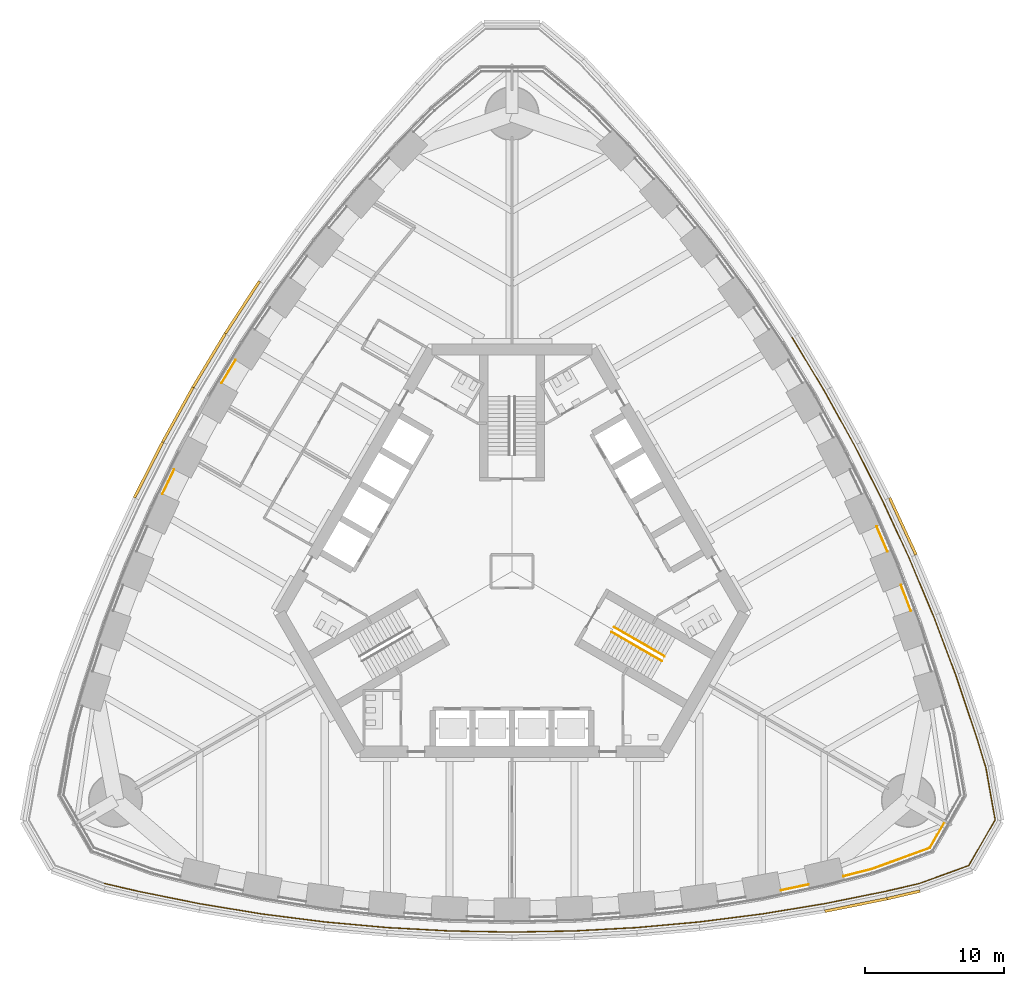
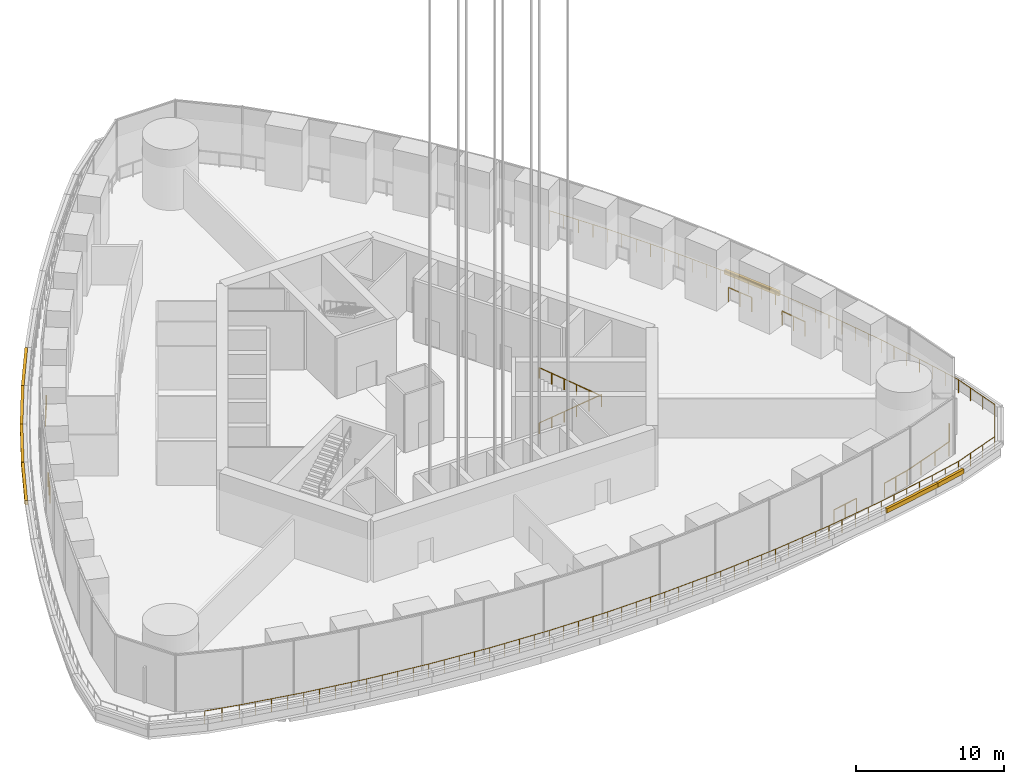
# One storey, part 18 of 31: 9 railings, 7 coverings.
"""IFC4 building model written with IfcOpenShell, lengths in metres."""

from ifc_helpers import new_model, si_unit, direction, frame, origin, origin_2d, place, context, subcontext, project, spatial, rectangle, circle, extrude, material, type_object, element, save


model = new_model("IFC4")

# Units and contexts
model_context = context("Model", 3, precision=1e-05, world=origin(), true_north=direction((0.0, 1.0)))
body_context = subcontext(model_context, "Body", "Model", "MODEL_VIEW")
ifc_project = project(units=[si_unit("LENGTHUNIT", "METRE"), si_unit("AREAUNIT", "SQUARE_METRE"), si_unit("VOLUMEUNIT", "CUBIC_METRE"), si_unit("PLANEANGLEUNIT", "RADIAN"), si_unit("MASSUNIT", "GRAM", prefix="KILO")], contexts=[model_context])

# Site, building, storey
site_placement = place(None, origin())
site = spatial("IfcSite", under=ifc_project, at=site_placement, CompositionType="ELEMENT")
building_placement = place(site_placement, origin())
building = spatial("IfcBuilding", under=site, at=building_placement, Name="Trefoil Bronze Tower", CompositionType="ELEMENT")
storey_placement = place(building_placement, frame((0.0, 0.0, 184.699951171875)))
storey = spatial("IfcBuildingStorey", under=building, at=storey_placement, Name="L42", CompositionType="ELEMENT", Elevation=184.699951171875)

# Railings
ifc_material_1 = material(Name="Bronze-finish steel guard rail and posts", Category="steel")
railing_type_1 = type_object("IfcRailingType", Name="Glazing guard 1200", PredefinedType="GUARDRAIL", material=ifc_material_1)
railing_1_placement = place(storey_placement, frame((19.3828125, -22.99072265625, 0.0)))
element("IfcRailing", 1, at=railing_1_placement, inside=storey, type_object=railing_type_1, Name="Glazing guard L42.14", PredefinedType="GUARDRAIL", context=body_context, shape_type="SweptSolid", body=[
    extrude(circle(Radius=0.02392578125, at=origin_2d()), frame((0.0, 0.0, 1.17578125), z_axis=(0.978382051668, 0.206805611562, 0.0), x_axis=(-0.206805611562, 0.978382051668, 0.0)), (0.0, 0.0, 1.0), 2.02685546875),
    extrude(circle(Radius=0.02099609375, at=origin_2d()), origin(), (0.0, 0.0, 1.0), 1.15185546875),
    extrude(circle(Radius=0.02099609375, at=origin_2d()), frame((0.99169921875, 0.20947265625, 0.0)), (0.0, 0.0, 1.0), 1.15185546875),
    extrude(circle(Radius=0.02099609375, at=origin_2d()), frame((1.983154296875, 0.419189453125, 0.0)), (0.0, 0.0, 1.0), 1.15185546875),
])
railing_2_placement = place(storey_placement, frame((23.896728515625, -21.9755859375, 0.0)))
element("IfcRailing", 2, at=railing_2_placement, inside=storey, type_object=railing_type_1, Name="Glazing guard L42.15", PredefinedType="GUARDRAIL", context=body_context, shape_type="SweptSolid", body=[
    extrude(circle(Radius=0.02392578125, at=origin_2d()), frame((0.0, 0.0, 1.17578125), z_axis=(0.968925924242, 0.247351073037, 0.0), x_axis=(-0.247351073037, 0.968925924242, 0.0)), (0.0, 0.0, 1.0), 2.1220703125),
    extrude(circle(Radius=0.02392578125, at=origin_2d()), frame((2.05615234375, 0.52490234375, 1.17578125), z_axis=(0.93969186174, 0.34202222878, 0.0), x_axis=(-0.34202222878, 0.93969186174, 0.0)), (0.0, 0.0, 1.0), 4.423583984375),
    extrude(circle(Radius=0.02392578125, at=origin_2d()), frame((6.212890625, 2.037841796875, 1.17578125), z_axis=(0.499973003918, 0.866040989419, 0.0), x_axis=(-0.866040989419, 0.499973003918, 0.0)), (0.0, 0.0, 1.0), 2.13671875),
    extrude(circle(Radius=0.02099609375, at=origin_2d()), origin(), (0.0, 0.0, 1.0), 1.15185546875),
    extrude(circle(Radius=0.02099609375, at=origin_2d()), frame((1.028076171875, 0.262451171875, 0.0)), (0.0, 0.0, 1.0), 1.15185546875),
    extrude(circle(Radius=0.02099609375, at=origin_2d()), frame((2.05615234375, 0.52490234375, 0.0)), (0.0, 0.0, 1.0), 1.15185546875),
    extrude(circle(Radius=0.02099609375, at=origin_2d()), frame((3.441650390625, 1.029296875, 0.0)), (0.0, 0.0, 1.0), 1.15185546875),
    extrude(circle(Radius=0.02099609375, at=origin_2d()), frame((4.827392578125, 1.533447265625, 0.0)), (0.0, 0.0, 1.0), 1.15185546875),
    extrude(circle(Radius=0.02099609375, at=origin_2d()), frame((6.212890625, 2.037841796875, 0.0)), (0.0, 0.0, 1.0), 1.15185546875),
    extrude(circle(Radius=0.02099609375, at=origin_2d()), frame((6.7470703125, 2.963134765625, 0.0)), (0.0, 0.0, 1.0), 1.15185546875),
    extrude(circle(Radius=0.02099609375, at=origin_2d()), frame((7.28125, 3.888427734375, 0.0)), (0.0, 0.0, 1.0), 1.15185546875),
])
railing_3_placement = place(storey_placement, frame((28.742919921875, -2.83642578125, 0.0)))
element("IfcRailing", 3, at=railing_3_placement, inside=storey, type_object=railing_type_1, Name="Glazing guard L42.18", PredefinedType="GUARDRAIL", context=body_context, shape_type="SweptSolid", body=[
    extrude(circle(Radius=0.02392578125, at=origin_2d()), frame((0.0, 0.0, 1.17578125), z_axis=(-0.354257987109, 0.93514773088, 0.0), x_axis=(-0.93514773088, -0.354257987109, 0.0)), (0.0, 0.0, 1.0), 1.987548828125),
    extrude(circle(Radius=0.02099609375, at=origin_2d()), origin(), (0.0, 0.0, 1.0), 1.15185546875),
    extrude(circle(Radius=0.02099609375, at=origin_2d()), frame((-0.35205078125, 0.92919921875, 0.0)), (0.0, 0.0, 1.0), 1.15185546875),
    extrude(circle(Radius=0.02099609375, at=origin_2d()), frame((-0.7041015625, 1.858642578125, 0.0)), (0.0, 0.0, 1.0), 1.15185546875),
])
railing_4_placement = place(storey_placement, frame((27.065185546875, 1.43310546875, 0.0)))
element("IfcRailing", 4, at=railing_4_placement, inside=storey, type_object=railing_type_1, Name="Glazing guard L42.19", PredefinedType="GUARDRAIL", context=body_context, shape_type="SweptSolid", body=[
    extrude(circle(Radius=0.02392578125, at=origin_2d()), frame((0.0, 0.0, 1.17578125), z_axis=(-0.397197923464, 0.917732972926, 0.0), x_axis=(-0.917732972926, -0.397197923464, 0.0)), (0.0, 0.0, 1.0), 1.957763671875),
    extrude(circle(Radius=0.02099609375, at=origin_2d()), origin(), (0.0, 0.0, 1.0), 1.15185546875),
    extrude(circle(Radius=0.02099609375, at=origin_2d()), frame((-0.388671875, 0.8984375, 0.0)), (0.0, 0.0, 1.0), 1.15185546875),
    extrude(circle(Radius=0.02099609375, at=origin_2d()), frame((-0.777587890625, 1.796630859375, 0.0)), (0.0, 0.0, 1.0), 1.15185546875),
])
railing_5_placement = place(storey_placement, frame((-19.929931640625, 15.2333984375, 0.0)))
element("IfcRailing", 5, at=railing_5_placement, inside=storey, type_object=railing_type_1, Name="Glazing guard L42.33", PredefinedType="GUARDRAIL", context=body_context, shape_type="SweptSolid", body=[
    extrude(circle(Radius=0.02392578125, at=origin_2d()), frame((0.0, 0.0, 1.17578125), z_axis=(-0.519774209417, -0.854303676233, 0.0), x_axis=(0.854303676233, -0.519774209417, 0.0)), (0.0, 0.0, 1.0), 1.92822265625),
    extrude(circle(Radius=0.02099609375, at=origin_2d()), origin(), (0.0, 0.0, 1.0), 1.15185546875),
    extrude(circle(Radius=0.02099609375, at=origin_2d()), frame((-0.5009765625, -0.82373046875, 0.0)), (0.0, 0.0, 1.0), 1.15185546875),
    extrude(circle(Radius=0.02099609375, at=origin_2d()), frame((-1.002197265625, -1.647216796875, 0.0)), (0.0, 0.0, 1.0), 1.15185546875),
])
railing_6_placement = place(storey_placement, frame((-24.3515625, 7.33349609375, 0.0)))
element("IfcRailing", 6, at=railing_6_placement, inside=storey, type_object=railing_type_1, Name="Glazing guard L42.34", PredefinedType="GUARDRAIL", context=body_context, shape_type="SweptSolid", body=[
    extrude(circle(Radius=0.02392578125, at=origin_2d()), frame((0.0, 0.0, 1.17578125), z_axis=(-0.439031625906, -0.898471608597, 0.0), x_axis=(0.898471608597, -0.439031625906, 0.0)), (0.0, 0.0, 1.0), 1.93798828125),
    extrude(circle(Radius=0.02099609375, at=origin_2d()), origin(), (0.0, 0.0, 1.0), 1.15185546875),
    extrude(circle(Radius=0.02099609375, at=origin_2d()), frame((-0.42529296875, -0.87060546875, 0.0)), (0.0, 0.0, 1.0), 1.15185546875),
    extrude(circle(Radius=0.02099609375, at=origin_2d()), frame((-0.850830078125, -1.7412109375, 0.0)), (0.0, 0.0, 1.0), 1.15185546875),
])
ifc_material_2 = material(Name="Steel handrail", Category="steel")
railing_type_2 = type_object("IfcRailingType", Name="Handrail 900", PredefinedType="HANDRAIL", material=ifc_material_2)
railing_7_placement = place(storey_placement, frame((7.365966796875, -4.021728515625, 0.166748046875)))
element("IfcRailing", 7, at=railing_7_placement, inside=storey, type_object=railing_type_2, Name="Handrail ST1 flight 1 L42", PredefinedType="HANDRAIL", context=body_context, shape_type="SweptSolid", body=[
    extrude(circle(Radius=0.02392578125, at=origin_2d()), frame((0.0, 0.0, 0.8759765625), z_axis=(0.757033054248, -0.437105539847, 0.485633299735), x_axis=(0.500027713859, 0.866009402589, 0.0)), (0.0, 0.0, 1.0), 4.804443359375),
    extrude(circle(Radius=0.02099609375, at=origin_2d()), origin(), (0.0, 0.0, 1.0), 0.851806640625),
    extrude(circle(Radius=0.02099609375, at=origin_2d()), frame((0.7275390625, -0.419921875, 0.466552734375)), (0.0, 0.0, 1.0), 0.851806640625),
    extrude(circle(Radius=0.02099609375, at=origin_2d()), frame((1.454833984375, -0.840087890625, 0.933349609375)), (0.0, 0.0, 1.0), 0.851806640625),
    extrude(circle(Radius=0.02099609375, at=origin_2d()), frame((2.182373046875, -1.260009765625, 1.39990234375)), (0.0, 0.0, 1.0), 0.851806640625),
    extrude(circle(Radius=0.02099609375, at=origin_2d()), frame((2.90966796875, -1.68017578125, 1.86669921875)), (0.0, 0.0, 1.0), 0.851806640625),
    extrude(circle(Radius=0.02099609375, at=origin_2d()), frame((3.63720703125, -2.10009765625, 2.333251953125)), (0.0, 0.0, 1.0), 0.851806640625),
])
railing_8_placement = place(storey_placement, frame((10.80322265625, -6.46826171875, 2.666748046875)))
element("IfcRailing", 8, at=railing_8_placement, inside=storey, type_object=railing_type_2, Name="Handrail ST1 flight 2 L42", PredefinedType="HANDRAIL", context=body_context, shape_type="SweptSolid", body=[
    extrude(circle(Radius=0.02392578125, at=origin_2d()), frame((0.0, 0.0, 0.8759765625), z_axis=(-0.757033054248, 0.437105539847, 0.485633299735), x_axis=(-0.500027713859, -0.866009402589, 0.0)), (0.0, 0.0, 1.0), 4.804443359375),
    extrude(circle(Radius=0.02099609375, at=origin_2d()), origin(), (0.0, 0.0, 1.0), 0.851806640625),
    extrude(circle(Radius=0.02099609375, at=origin_2d()), frame((-0.7275390625, 0.419921875, 0.466552734375)), (0.0, 0.0, 1.0), 0.851806640625),
    extrude(circle(Radius=0.02099609375, at=origin_2d()), frame((-1.454833984375, 0.840087890625, 0.933349609375)), (0.0, 0.0, 1.0), 0.851806640625),
    extrude(circle(Radius=0.02099609375, at=origin_2d()), frame((-2.182373046875, 1.260009765625, 1.39990234375)), (0.0, 0.0, 1.0), 0.851806640625),
    extrude(circle(Radius=0.02099609375, at=origin_2d()), frame((-2.90966796875, 1.68017578125, 1.86669921875)), (0.0, 0.0, 1.0), 0.851806640625),
    extrude(circle(Radius=0.02099609375, at=origin_2d()), frame((-3.63720703125, 2.10009765625, 2.333251953125)), (0.0, 0.0, 1.0), 0.851806640625),
])
ifc_material_3 = material(Name="Galvanised steel guard rail and posts", Category="steel")
railing_type_3 = type_object("IfcRailingType", Name="Roof edge guard 1100", PredefinedType="GUARDRAIL", material=ifc_material_3)
railing_9_placement = place(storey_placement, frame((-29.357666015625, -22.499755859375, 0.300048828125)))
element("IfcRailing", 9, at=railing_9_placement, inside=storey, type_object=railing_type_3, Name="Roof edge guard L42.1 maintenance access only", PredefinedType="GUARDRAIL", context=body_context, shape_type="SweptSolid", body=[
    extrude(circle(Radius=0.02392578125, at=origin_2d()), frame((0.0, 0.0, 1.076171875), z_axis=(0.974203832844, -0.225669874089, 0.0), x_axis=(0.225669874089, 0.974203832844, 0.0)), (0.0, 0.0, 1.0), 2.420166015625),
    extrude(circle(Radius=0.02392578125, at=origin_2d()), frame((2.357666015625, -0.546142578125, 1.076171875), z_axis=(0.980163286517, -0.198191654126, 0.0), x_axis=(0.198191654126, 0.980163286517, 0.0)), (0.0, 0.0, 1.0), 4.591064453125),
    extrude(circle(Radius=0.02392578125, at=origin_2d()), frame((6.857666015625, -1.4560546875, 1.076171875), z_axis=(0.986756114194, -0.162210884657, 0.0), x_axis=(0.162210884657, 0.986756114194, 0.0)), (0.0, 0.0, 1.0), 4.560302734375),
    extrude(circle(Radius=0.02392578125, at=origin_2d()), frame((11.357666015625, -2.19580078125, 1.076171875), z_axis=(0.992010652594, -0.12615413247, 0.0), x_axis=(0.12615413247, 0.992010652594, 0.0)), (0.0, 0.0, 1.0), 4.5361328125),
    extrude(circle(Radius=0.02392578125, at=origin_2d()), frame((15.857666015625, -2.76806640625, 1.076171875), z_axis=(0.995935173755, -0.090072913121, 0.0), x_axis=(0.090072913121, 0.995935173755, 0.0)), (0.0, 0.0, 1.0), 4.518310546875),
    extrude(circle(Radius=0.02392578125, at=origin_2d()), frame((20.357666015625, -3.175048828125, 1.076171875), z_axis=(0.998537376538, -0.054065771581, 0.0), x_axis=(0.054065771581, 0.998537376538, 0.0)), (0.0, 0.0, 1.0), 4.506591796875),
    extrude(circle(Radius=0.02392578125, at=origin_2d()), frame((24.857666015625, -3.418701171875, 1.076171875), z_axis=(0.999836842422, -0.018063458579, 0.0), x_axis=(0.018063458579, 0.999836842422, 0.0)), (0.0, 0.0, 1.0), 4.500732421875),
    extrude(circle(Radius=0.02392578125, at=origin_2d()), frame((29.357666015625, -3.5, 1.076171875), z_axis=(0.999836842422, 0.018063458579, 0.0), x_axis=(-0.018063458579, 0.999836842422, 0.0)), (0.0, 0.0, 1.0), 4.500732421875),
    extrude(circle(Radius=0.02392578125, at=origin_2d()), frame((33.857666015625, -3.418701171875, 1.076171875), z_axis=(0.998537376538, 0.054065771581, 0.0), x_axis=(-0.054065771581, 0.998537376538, 0.0)), (0.0, 0.0, 1.0), 4.506591796875),
    extrude(circle(Radius=0.02392578125, at=origin_2d()), frame((38.357666015625, -3.175048828125, 1.076171875), z_axis=(0.995935173755, 0.090072913121, 0.0), x_axis=(-0.090072913121, 0.995935173755, 0.0)), (0.0, 0.0, 1.0), 4.518310546875),
    extrude(circle(Radius=0.02392578125, at=origin_2d()), frame((42.857666015625, -2.76806640625, 1.076171875), z_axis=(0.992010652594, 0.12615413247, 0.0), x_axis=(-0.12615413247, 0.992010652594, 0.0)), (0.0, 0.0, 1.0), 4.5361328125),
    extrude(circle(Radius=0.02392578125, at=origin_2d()), frame((47.357666015625, -2.19580078125, 1.076171875), z_axis=(0.986756114194, 0.162210884657, 0.0), x_axis=(-0.162210884657, 0.986756114194, 0.0)), (0.0, 0.0, 1.0), 4.560302734375),
    extrude(circle(Radius=0.02392578125, at=origin_2d()), frame((51.857666015625, -1.4560546875, 1.076171875), z_axis=(0.980163286517, 0.198191654126, 0.0), x_axis=(-0.198191654126, 0.980163286517, 0.0)), (0.0, 0.0, 1.0), 4.591064453125),
    extrude(circle(Radius=0.02392578125, at=origin_2d()), frame((56.357666015625, -0.546142578125, 1.076171875), z_axis=(0.974203832844, 0.225669874089, 0.0), x_axis=(-0.225669874089, 0.974203832844, 0.0)), (0.0, 0.0, 1.0), 2.420166015625),
    extrude(circle(Radius=0.02392578125, at=origin_2d()), frame((58.71533203125, 0.0, 1.076171875), z_axis=(0.939678835491, 0.342058015739, 0.0), x_axis=(-0.342058015739, 0.939678835491, 0.0)), (0.0, 0.0, 1.0), 3.79638671875),
    extrude(circle(Radius=0.02392578125, at=origin_2d()), frame((62.28271484375, 1.298583984375, 1.076171875), z_axis=(0.50003973666, 0.866002460597, 0.0), x_axis=(-0.866002460597, 0.50003973666, 0.0)), (0.0, 0.0, 1.0), 3.796630859375),
    extrude(circle(Radius=0.02392578125, at=origin_2d()), frame((64.18115234375, 4.58642578125, 1.076171875), z_axis=(-0.173693619934, 0.984799739233, 0.0), x_axis=(-0.984799739233, -0.173693619934, 0.0)), (0.0, 0.0, 1.0), 3.79638671875),
    extrude(circle(Radius=0.02392578125, at=origin_2d()), frame((63.521728515625, 8.3251953125, 1.076171875), z_axis=(-0.29166741181, 0.956519796391, 0.0), x_axis=(-0.956519796391, -0.29166741181, 0.0)), (0.0, 0.0, 1.0), 2.419921875),
    extrude(circle(Radius=0.02392578125, at=origin_2d()), frame((62.81591796875, 10.639892578125, 1.076171875), z_axis=(-0.318412422979, 0.94795228197, 0.0), x_axis=(-0.94795228197, -0.318412422979, 0.0)), (0.0, 0.0, 1.0), 4.59130859375),
    extrude(circle(Radius=0.02392578125, at=origin_2d()), frame((61.35400390625, 14.9921875, 1.076171875), z_axis=(-0.35291223767, 0.935656428665, 0.0), x_axis=(-0.935656428665, -0.35291223767, 0.0)), (0.0, 0.0, 1.0), 4.560302734375),
    extrude(circle(Radius=0.02392578125, at=origin_2d()), frame((59.74462890625, 19.259033203125, 1.076171875), z_axis=(-0.386742917128, 0.92218757097, 0.0), x_axis=(-0.92218757097, -0.386742917128, 0.0)), (0.0, 0.0, 1.0), 4.536376953125),
    extrude(circle(Radius=0.02392578125, at=origin_2d()), frame((57.990234375, 23.4423828125, 1.076171875), z_axis=(-0.419948870618, 0.907547765171, 0.0), x_axis=(-0.907547765171, -0.419948870618, 0.0)), (0.0, 0.0, 1.0), 4.518310546875),
    extrude(circle(Radius=0.02392578125, at=origin_2d()), frame((56.0927734375, 27.54296875, 1.076171875), z_axis=(-0.452449820092, 0.891789863308, 0.0), x_axis=(-0.891789863308, -0.452449820092, 0.0)), (0.0, 0.0, 1.0), 4.5068359375),
    extrude(circle(Radius=0.02392578125, at=origin_2d()), frame((54.0537109375, 31.56201171875, 1.076171875), z_axis=(-0.484315883017, 0.87489320803, 0.0), x_axis=(-0.87489320803, -0.484315883017, 0.0)), (0.0, 0.0, 1.0), 4.50048828125),
    extrude(circle(Radius=0.02392578125, at=origin_2d()), frame((51.8740234375, 35.49951171875, 1.076171875), z_axis=(-0.515524404457, 0.856874896592, 0.0), x_axis=(-0.856874896592, -0.515524404457, 0.0)), (0.0, 0.0, 1.0), 4.5009765625),
    extrude(circle(Radius=0.02099609375, at=origin_2d()), origin(), (0.0, 0.0, 1.0), 1.052001953125),
    extrude(circle(Radius=0.02099609375, at=origin_2d()), frame((1.1787109375, -0.27294921875, 0.0)), (0.0, 0.0, 1.0), 1.052001953125),
    extrude(circle(Radius=0.02099609375, at=origin_2d()), frame((2.357666015625, -0.546142578125, 0.0)), (0.0, 0.0, 1.0), 1.052001953125),
    extrude(circle(Radius=0.02099609375, at=origin_2d()), frame((3.482666015625, -0.773681640625, 0.0)), (0.0, 0.0, 1.0), 1.052001953125),
    extrude(circle(Radius=0.02099609375, at=origin_2d()), frame((4.607666015625, -1.0009765625, 0.0)), (0.0, 0.0, 1.0), 1.052001953125),
    extrude(circle(Radius=0.02099609375, at=origin_2d()), frame((5.732666015625, -1.228515625, 0.0)), (0.0, 0.0, 1.0), 1.052001953125),
    extrude(circle(Radius=0.02099609375, at=origin_2d()), frame((6.857666015625, -1.4560546875, 0.0)), (0.0, 0.0, 1.0), 1.052001953125),
    extrude(circle(Radius=0.02099609375, at=origin_2d()), frame((7.982666015625, -1.64111328125, 0.0)), (0.0, 0.0, 1.0), 1.052001953125),
    extrude(circle(Radius=0.02099609375, at=origin_2d()), frame((9.107666015625, -1.825927734375, 0.0)), (0.0, 0.0, 1.0), 1.052001953125),
    extrude(circle(Radius=0.02099609375, at=origin_2d()), frame((10.232666015625, -2.0107421875, 0.0)), (0.0, 0.0, 1.0), 1.052001953125),
    extrude(circle(Radius=0.02099609375, at=origin_2d()), frame((11.357666015625, -2.19580078125, 0.0)), (0.0, 0.0, 1.0), 1.052001953125),
    extrude(circle(Radius=0.02099609375, at=origin_2d()), frame((12.482666015625, -2.3388671875, 0.0)), (0.0, 0.0, 1.0), 1.052001953125),
    extrude(circle(Radius=0.02099609375, at=origin_2d()), frame((13.607666015625, -2.48193359375, 0.0)), (0.0, 0.0, 1.0), 1.052001953125),
    extrude(circle(Radius=0.02099609375, at=origin_2d()), frame((14.732666015625, -2.625, 0.0)), (0.0, 0.0, 1.0), 1.052001953125),
    extrude(circle(Radius=0.02099609375, at=origin_2d()), frame((15.857666015625, -2.76806640625, 0.0)), (0.0, 0.0, 1.0), 1.052001953125),
    extrude(circle(Radius=0.02099609375, at=origin_2d()), frame((16.982666015625, -2.869873046875, 0.0)), (0.0, 0.0, 1.0), 1.052001953125),
    extrude(circle(Radius=0.02099609375, at=origin_2d()), frame((18.107666015625, -2.9716796875, 0.0)), (0.0, 0.0, 1.0), 1.052001953125),
    extrude(circle(Radius=0.02099609375, at=origin_2d()), frame((19.232666015625, -3.0732421875, 0.0)), (0.0, 0.0, 1.0), 1.052001953125),
    extrude(circle(Radius=0.02099609375, at=origin_2d()), frame((20.357666015625, -3.175048828125, 0.0)), (0.0, 0.0, 1.0), 1.052001953125),
    extrude(circle(Radius=0.02099609375, at=origin_2d()), frame((21.482666015625, -3.23583984375, 0.0)), (0.0, 0.0, 1.0), 1.052001953125),
    extrude(circle(Radius=0.02099609375, at=origin_2d()), frame((22.607666015625, -3.296875, 0.0)), (0.0, 0.0, 1.0), 1.052001953125),
    extrude(circle(Radius=0.02099609375, at=origin_2d()), frame((23.732666015625, -3.35791015625, 0.0)), (0.0, 0.0, 1.0), 1.052001953125),
    extrude(circle(Radius=0.02099609375, at=origin_2d()), frame((24.857666015625, -3.418701171875, 0.0)), (0.0, 0.0, 1.0), 1.052001953125),
    extrude(circle(Radius=0.02099609375, at=origin_2d()), frame((25.982666015625, -3.43896484375, 0.0)), (0.0, 0.0, 1.0), 1.052001953125),
    extrude(circle(Radius=0.02099609375, at=origin_2d()), frame((27.107666015625, -3.45947265625, 0.0)), (0.0, 0.0, 1.0), 1.052001953125),
    extrude(circle(Radius=0.02099609375, at=origin_2d()), frame((28.232666015625, -3.479736328125, 0.0)), (0.0, 0.0, 1.0), 1.052001953125),
    extrude(circle(Radius=0.02099609375, at=origin_2d()), frame((29.357666015625, -3.5, 0.0)), (0.0, 0.0, 1.0), 1.052001953125),
    extrude(circle(Radius=0.02099609375, at=origin_2d()), frame((30.482666015625, -3.479736328125, 0.0)), (0.0, 0.0, 1.0), 1.052001953125),
    extrude(circle(Radius=0.02099609375, at=origin_2d()), frame((31.607666015625, -3.45947265625, 0.0)), (0.0, 0.0, 1.0), 1.052001953125),
    extrude(circle(Radius=0.02099609375, at=origin_2d()), frame((32.732666015625, -3.43896484375, 0.0)), (0.0, 0.0, 1.0), 1.052001953125),
    extrude(circle(Radius=0.02099609375, at=origin_2d()), frame((33.857666015625, -3.418701171875, 0.0)), (0.0, 0.0, 1.0), 1.052001953125),
    extrude(circle(Radius=0.02099609375, at=origin_2d()), frame((34.982666015625, -3.35791015625, 0.0)), (0.0, 0.0, 1.0), 1.052001953125),
    extrude(circle(Radius=0.02099609375, at=origin_2d()), frame((36.107666015625, -3.296875, 0.0)), (0.0, 0.0, 1.0), 1.052001953125),
    extrude(circle(Radius=0.02099609375, at=origin_2d()), frame((37.232666015625, -3.23583984375, 0.0)), (0.0, 0.0, 1.0), 1.052001953125),
    extrude(circle(Radius=0.02099609375, at=origin_2d()), frame((38.357666015625, -3.175048828125, 0.0)), (0.0, 0.0, 1.0), 1.052001953125),
    extrude(circle(Radius=0.02099609375, at=origin_2d()), frame((39.482666015625, -3.0732421875, 0.0)), (0.0, 0.0, 1.0), 1.052001953125),
    extrude(circle(Radius=0.02099609375, at=origin_2d()), frame((40.607666015625, -2.9716796875, 0.0)), (0.0, 0.0, 1.0), 1.052001953125),
    extrude(circle(Radius=0.02099609375, at=origin_2d()), frame((41.732666015625, -2.869873046875, 0.0)), (0.0, 0.0, 1.0), 1.052001953125),
    extrude(circle(Radius=0.02099609375, at=origin_2d()), frame((42.857666015625, -2.76806640625, 0.0)), (0.0, 0.0, 1.0), 1.052001953125),
    extrude(circle(Radius=0.02099609375, at=origin_2d()), frame((43.982666015625, -2.625, 0.0)), (0.0, 0.0, 1.0), 1.052001953125),
    extrude(circle(Radius=0.02099609375, at=origin_2d()), frame((45.107666015625, -2.48193359375, 0.0)), (0.0, 0.0, 1.0), 1.052001953125),
    extrude(circle(Radius=0.02099609375, at=origin_2d()), frame((46.232666015625, -2.3388671875, 0.0)), (0.0, 0.0, 1.0), 1.052001953125),
    extrude(circle(Radius=0.02099609375, at=origin_2d()), frame((47.357666015625, -2.19580078125, 0.0)), (0.0, 0.0, 1.0), 1.052001953125),
    extrude(circle(Radius=0.02099609375, at=origin_2d()), frame((48.482666015625, -2.0107421875, 0.0)), (0.0, 0.0, 1.0), 1.052001953125),
    extrude(circle(Radius=0.02099609375, at=origin_2d()), frame((49.607666015625, -1.825927734375, 0.0)), (0.0, 0.0, 1.0), 1.052001953125),
    extrude(circle(Radius=0.02099609375, at=origin_2d()), frame((50.732666015625, -1.64111328125, 0.0)), (0.0, 0.0, 1.0), 1.052001953125),
    extrude(circle(Radius=0.02099609375, at=origin_2d()), frame((51.857666015625, -1.4560546875, 0.0)), (0.0, 0.0, 1.0), 1.052001953125),
    extrude(circle(Radius=0.02099609375, at=origin_2d()), frame((52.982666015625, -1.228515625, 0.0)), (0.0, 0.0, 1.0), 1.052001953125),
    extrude(circle(Radius=0.02099609375, at=origin_2d()), frame((54.107666015625, -1.0009765625, 0.0)), (0.0, 0.0, 1.0), 1.052001953125),
    extrude(circle(Radius=0.02099609375, at=origin_2d()), frame((55.232666015625, -0.773681640625, 0.0)), (0.0, 0.0, 1.0), 1.052001953125),
    extrude(circle(Radius=0.02099609375, at=origin_2d()), frame((56.357666015625, -0.546142578125, 0.0)), (0.0, 0.0, 1.0), 1.052001953125),
    extrude(circle(Radius=0.02099609375, at=origin_2d()), frame((57.53662109375, -0.27294921875, 0.0)), (0.0, 0.0, 1.0), 1.052001953125),
    extrude(circle(Radius=0.02099609375, at=origin_2d()), frame((58.71533203125, 0.0, 0.0)), (0.0, 0.0, 1.0), 1.052001953125),
    extrude(circle(Radius=0.02099609375, at=origin_2d()), frame((59.904541015625, 0.432861328125, 0.0)), (0.0, 0.0, 1.0), 1.052001953125),
    extrude(circle(Radius=0.02099609375, at=origin_2d()), frame((61.093505859375, 0.86572265625, 0.0)), (0.0, 0.0, 1.0), 1.052001953125),
    extrude(circle(Radius=0.02099609375, at=origin_2d()), frame((62.28271484375, 1.298583984375, 0.0)), (0.0, 0.0, 1.0), 1.052001953125),
    extrude(circle(Radius=0.02099609375, at=origin_2d()), frame((62.91552734375, 2.39453125, 0.0)), (0.0, 0.0, 1.0), 1.052001953125),
    extrude(circle(Radius=0.02099609375, at=origin_2d()), frame((63.54833984375, 3.490478515625, 0.0)), (0.0, 0.0, 1.0), 1.052001953125),
    extrude(circle(Radius=0.02099609375, at=origin_2d()), frame((64.18115234375, 4.58642578125, 0.0)), (0.0, 0.0, 1.0), 1.052001953125),
    extrude(circle(Radius=0.02099609375, at=origin_2d()), frame((63.96142578125, 5.832763671875, 0.0)), (0.0, 0.0, 1.0), 1.052001953125),
    extrude(circle(Radius=0.02099609375, at=origin_2d()), frame((63.741455078125, 7.078857421875, 0.0)), (0.0, 0.0, 1.0), 1.052001953125),
    extrude(circle(Radius=0.02099609375, at=origin_2d()), frame((63.521728515625, 8.3251953125, 0.0)), (0.0, 0.0, 1.0), 1.052001953125),
    extrude(circle(Radius=0.02099609375, at=origin_2d()), frame((63.1689453125, 9.482421875, 0.0)), (0.0, 0.0, 1.0), 1.052001953125),
    extrude(circle(Radius=0.02099609375, at=origin_2d()), frame((62.81591796875, 10.639892578125, 0.0)), (0.0, 0.0, 1.0), 1.052001953125),
    extrude(circle(Radius=0.02099609375, at=origin_2d()), frame((62.450439453125, 11.72802734375, 0.0)), (0.0, 0.0, 1.0), 1.052001953125),
    extrude(circle(Radius=0.02099609375, at=origin_2d()), frame((62.0849609375, 12.81591796875, 0.0)), (0.0, 0.0, 1.0), 1.052001953125),
    extrude(circle(Radius=0.02099609375, at=origin_2d()), frame((61.719482421875, 13.904052734375, 0.0)), (0.0, 0.0, 1.0), 1.052001953125),
    extrude(circle(Radius=0.02099609375, at=origin_2d()), frame((61.35400390625, 14.9921875, 0.0)), (0.0, 0.0, 1.0), 1.052001953125),
    extrude(circle(Radius=0.02099609375, at=origin_2d()), frame((60.95166015625, 16.058837890625, 0.0)), (0.0, 0.0, 1.0), 1.052001953125),
    extrude(circle(Radius=0.02099609375, at=origin_2d()), frame((60.54931640625, 17.12548828125, 0.0)), (0.0, 0.0, 1.0), 1.052001953125),
    extrude(circle(Radius=0.02099609375, at=origin_2d()), frame((60.14697265625, 18.1923828125, 0.0)), (0.0, 0.0, 1.0), 1.052001953125),
    extrude(circle(Radius=0.02099609375, at=origin_2d()), frame((59.74462890625, 19.259033203125, 0.0)), (0.0, 0.0, 1.0), 1.052001953125),
    extrude(circle(Radius=0.02099609375, at=origin_2d()), frame((59.30615234375, 20.304931640625, 0.0)), (0.0, 0.0, 1.0), 1.052001953125),
    extrude(circle(Radius=0.02099609375, at=origin_2d()), frame((58.867431640625, 21.3505859375, 0.0)), (0.0, 0.0, 1.0), 1.052001953125),
    extrude(circle(Radius=0.02099609375, at=origin_2d()), frame((58.4287109375, 22.396484375, 0.0)), (0.0, 0.0, 1.0), 1.052001953125),
    extrude(circle(Radius=0.02099609375, at=origin_2d()), frame((57.990234375, 23.4423828125, 0.0)), (0.0, 0.0, 1.0), 1.052001953125),
    extrude(circle(Radius=0.02099609375, at=origin_2d()), frame((57.515869140625, 24.467529296875, 0.0)), (0.0, 0.0, 1.0), 1.052001953125),
    extrude(circle(Radius=0.02099609375, at=origin_2d()), frame((57.04150390625, 25.49267578125, 0.0)), (0.0, 0.0, 1.0), 1.052001953125),
    extrude(circle(Radius=0.02099609375, at=origin_2d()), frame((56.567138671875, 26.517822265625, 0.0)), (0.0, 0.0, 1.0), 1.052001953125),
    extrude(circle(Radius=0.02099609375, at=origin_2d()), frame((56.0927734375, 27.54296875, 0.0)), (0.0, 0.0, 1.0), 1.052001953125),
    extrude(circle(Radius=0.02099609375, at=origin_2d()), frame((55.5830078125, 28.5478515625, 0.0)), (0.0, 0.0, 1.0), 1.052001953125),
    extrude(circle(Radius=0.02099609375, at=origin_2d()), frame((55.0732421875, 29.552490234375, 0.0)), (0.0, 0.0, 1.0), 1.052001953125),
    extrude(circle(Radius=0.02099609375, at=origin_2d()), frame((54.5634765625, 30.55712890625, 0.0)), (0.0, 0.0, 1.0), 1.052001953125),
    extrude(circle(Radius=0.02099609375, at=origin_2d()), frame((54.0537109375, 31.56201171875, 0.0)), (0.0, 0.0, 1.0), 1.052001953125),
    extrude(circle(Radius=0.02099609375, at=origin_2d()), frame((53.5087890625, 32.54638671875, 0.0)), (0.0, 0.0, 1.0), 1.052001953125),
    extrude(circle(Radius=0.02099609375, at=origin_2d()), frame((52.9638671875, 33.53076171875, 0.0)), (0.0, 0.0, 1.0), 1.052001953125),
    extrude(circle(Radius=0.02099609375, at=origin_2d()), frame((52.4189453125, 34.51513671875, 0.0)), (0.0, 0.0, 1.0), 1.052001953125),
    extrude(circle(Radius=0.02099609375, at=origin_2d()), frame((51.8740234375, 35.49951171875, 0.0)), (0.0, 0.0, 1.0), 1.052001953125),
    extrude(circle(Radius=0.02099609375, at=origin_2d()), frame((51.2939453125, 36.463623046875, 0.0)), (0.0, 0.0, 1.0), 1.052001953125),
    extrude(circle(Radius=0.02099609375, at=origin_2d()), frame((50.7138671875, 37.427734375, 0.0)), (0.0, 0.0, 1.0), 1.052001953125),
    extrude(circle(Radius=0.02099609375, at=origin_2d()), frame((50.1337890625, 38.39208984375, 0.0)), (0.0, 0.0, 1.0), 1.052001953125),
    extrude(circle(Radius=0.02099609375, at=origin_2d()), frame((49.5537109375, 39.356201171875, 0.0)), (0.0, 0.0, 1.0), 1.052001953125),
])

# Coverings
ifc_material_4 = material(Name="Stepped bronze-finish aluminium cornice", Category="aluminium")
covering_type = type_object("IfcCoveringType", Name="Setback cornice 350x200", PredefinedType="MOLDING", material=ifc_material_4)
covering_1_placement = place(storey_placement, frame((24.794677734375, -24.04638671875, 0.75), z_axis=(0.0, 0.0, 1.0), x_axis=(0.980155155537, 0.198231861904, 0.0)))
element("IfcCovering", 10, at=covering_1_placement, inside=storey, type_object=covering_type, Name="Setback cornice L42.12", PredefinedType="MOLDING", context=body_context, shape_type="SweptSolid", body=[
    extrude(rectangle(XDim=4.591064453125, YDim=0.199951171875, at=origin_2d()), origin(), (0.0, 0.0, 1.0), 0.35009765625),
])
covering_2_placement = place(storey_placement, frame((28.229736328125, -23.31689453125, 0.75), z_axis=(0.0, 0.0, 1.0), x_axis=(0.974204447126, 0.225667222253, 0.0)))
element("IfcCovering", 11, at=covering_2_placement, inside=storey, type_object=covering_type, Name="Setback cornice L42.13", PredefinedType="MOLDING", context=body_context, shape_type="SweptSolid", body=[
    extrude(rectangle(XDim=2.420166015625, YDim=0.199951171875, at=origin_2d()), origin(), (0.0, 0.0, 1.0), 0.35009765625),
])
covering_3_placement = place(storey_placement, frame((28.16943359375, 3.25, 0.75), z_axis=(0.0, 0.0, 1.0), x_axis=(-0.419932995776, 0.907555110756, 0.0)))
element("IfcCovering", 12, at=covering_3_placement, inside=storey, type_object=covering_type, Name="Setback cornice L42.21", PredefinedType="MOLDING", context=body_context, shape_type="SweptSolid", body=[
    extrude(rectangle(XDim=4.518310546875, YDim=0.199951171875, at=origin_2d()), origin(), (0.0, 0.0, 1.0), 0.35009765625),
])
covering_4_placement = place(storey_placement, frame((-19.435546875, 19.029296875, 0.75), z_axis=(0.0, 0.0, 1.0), x_axis=(-0.546088612325, -0.83772741837, 0.0)))
element("IfcCovering", 13, at=covering_4_placement, inside=storey, type_object=covering_type, Name="Setback cornice L42.39", PredefinedType="MOLDING", context=body_context, shape_type="SweptSolid", body=[
    extrude(rectangle(XDim=4.506591796875, YDim=0.199951171875, at=origin_2d()), origin(), (0.0, 0.0, 1.0), 0.35009765625),
])
for number, where, z_axis, x_axis, name in (
    (14, (-21.83056640625, 15.20654296875, 0.75), (0.0, 0.0, 1.0), (-0.515525413381, -0.856874289589, 0.0), "Setback cornice L42.40"),
    (15, (-24.08447265625, 11.302490234375, 0.75), (0.0, 0.0, 1.0), (-0.484312195851, -0.87489524913, 0.0), "Setback cornice L42.41"),
):
    element("IfcCovering", number, at=place(storey_placement, frame(where, z_axis=z_axis, x_axis=x_axis)), inside=storey, type_object=covering_type, Name=name, PredefinedType="MOLDING", context=body_context, shape_type="SweptSolid", body=[
        extrude(rectangle(XDim=4.500732421875, YDim=0.199951171875, at=origin_2d()), origin(), (0.0, 0.0, 1.0), 0.35009765625),
    ])
covering_5_placement = place(storey_placement, frame((-26.19775390625, 7.31689453125, 0.75), z_axis=(0.0, 0.0, 1.0), x_axis=(-0.452448919702, -0.891790320121, 0.0)))
element("IfcCovering", 16, at=covering_5_placement, inside=storey, type_object=covering_type, Name="Setback cornice L42.42", PredefinedType="MOLDING", context=body_context, shape_type="SweptSolid", body=[
    extrude(rectangle(XDim=4.506591796875, YDim=0.199951171875, at=origin_2d()), origin(), (0.0, 0.0, 1.0), 0.35009765625),
])

save(model, "model.ifc")
